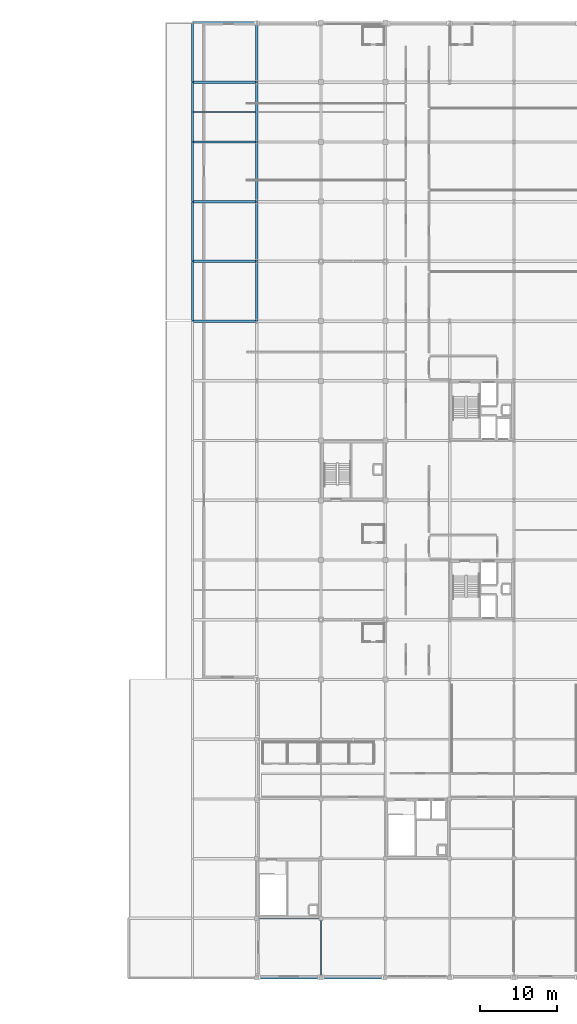
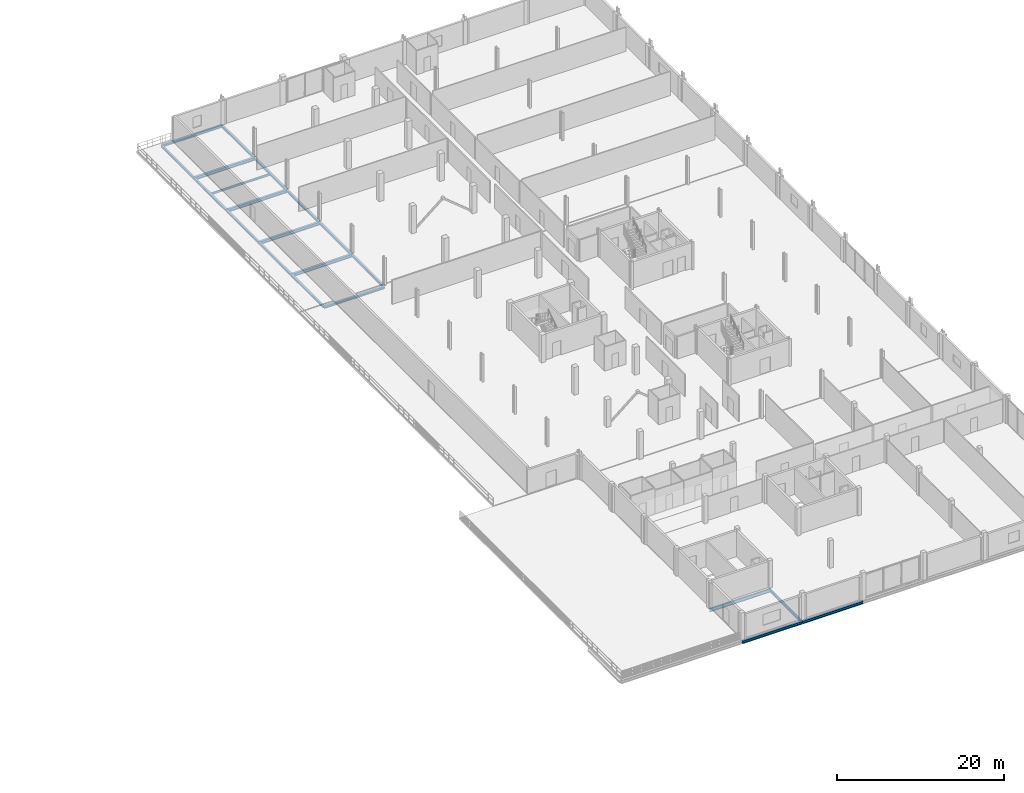
# One storey, part 9 of 41: 21 beams.
"""IFC4 building model written with IfcOpenShell, lengths in metres."""

from ifc_helpers import new_model, si_unit, direction, frame, origin, origin_2d, place, context, subcontext, project, spatial, i_section, extrude, material, material_profile, profile_set, type_object, element, save


model = new_model("IFC4")

# Units and contexts
model_context = context("Model", 3, precision=1e-05, world=origin(), true_north=direction((0.0, 1.0)))
body_context = subcontext(model_context, "Body", "Model", "MODEL_VIEW")
ifc_project = project(units=[si_unit("LENGTHUNIT", "METRE"), si_unit("AREAUNIT", "SQUARE_METRE"), si_unit("VOLUMEUNIT", "CUBIC_METRE"), si_unit("PLANEANGLEUNIT", "RADIAN"), si_unit("MASSUNIT", "GRAM", prefix="KILO")], contexts=[model_context])

# Site, building, storey
site_placement = place(None, origin())
site = spatial("IfcSite", under=ifc_project, at=site_placement, CompositionType="ELEMENT")
building_placement = place(site_placement, origin())
building = spatial("IfcBuilding", under=site, at=building_placement, Name="Nabrawat Pavilion Hospital", CompositionType="ELEMENT")
storey_placement = place(building_placement, frame((0.0, 0.0, 18.89990234375)))
storey = spatial("IfcBuildingStorey", under=building, at=storey_placement, Name="L04", CompositionType="ELEMENT", Elevation=18.89990234375)

# Beams
ifc_material = material(Name="Steel S355", Category="steel")
ifc_material_profile_1 = material_profile(ifc_material, i_section(OverallWidth=0.300048828125, OverallDepth=0.43994140625, WebThickness=0.011474609375, FlangeThickness=0.02099609375, FilletRadius=0.027099609375, at=origin_2d()), Name="HEA 450")
ifc_profile_set_1 = profile_set([ifc_material_profile_1], Name="Steel S355")
beam_type_1 = type_object("IfcBeamType", Name="Mid-Tier Ward Girder HEA 450", PredefinedType="USERDEFINED", material=ifc_profile_set_1)
for number, where, z_axis, x_axis, name in (
    (1, (134.419921875, 93.60009765625, -0.4599609375), (1.0, 0.0, 0.0), (0.0, 1.0, 0.0), "L04 Primary X Girder 1833"),
    (2, (134.419921875, 101.39990234375, -0.4599609375), (1.0, 0.0, 0.0), (0.0, 1.0, 0.0), "L04 Primary X Girder 1838"),
    (3, (134.419921875, 109.199951171875, -0.4599609375), (1.0, 0.0, 0.0), (0.0, 1.0, 0.0), "L04 Primary X Girder 1843"),
    (4, (134.419921875, 117.0, -0.4599609375), (1.0, 0.0, 0.0), (0.0, 1.0, 0.0), "L04 Primary X Girder 1848"),
):
    element("IfcBeam", number, at=place(storey_placement, frame(where, z_axis=z_axis, x_axis=x_axis)), inside=storey, type_object=beam_type_1, Name=name, ObjectType="GIRDER", PredefinedType="USERDEFINED", context=body_context, shape_type="SweptSolid", body=[
        extrude(i_section(OverallWidth=0.300048828125, OverallDepth=0.43994140625, WebThickness=0.011474609375, FlangeThickness=0.02099609375, FilletRadius=0.027099609375, at=origin_2d()), origin(), (0.0, 0.0, 1.0), 8.360107421875),
    ])
ifc_material_profile_2 = material_profile(ifc_material, i_section(OverallWidth=0.300048828125, OverallDepth=0.389892578125, WebThickness=0.010986328125, FlangeThickness=0.01904296875, FilletRadius=0.027099609375, at=origin_2d()), Name="HEA 400")
ifc_profile_set_2 = profile_set([ifc_material_profile_2], Name="Steel S355")
beam_type_2 = type_object("IfcBeamType", Name="Perimeter Moment Spandrel Beam HEA 400", PredefinedType="SPANDREL", material=ifc_profile_set_2)
beam_1_placement = place(storey_placement, frame((142.820068359375, 0.0, -0.4248046875), z_axis=(1.0, 0.0, 0.0), x_axis=(0.0, 1.0, 0.0)))
element("IfcBeam", 5, at=beam_1_placement, inside=storey, type_object=beam_type_2, Name="L04 Primary X Girder 1755", PredefinedType="SPANDREL", context=body_context, shape_type="SweptSolid", body=[
    extrude(i_section(OverallWidth=0.300048828125, OverallDepth=0.389892578125, WebThickness=0.010986328125, FlangeThickness=0.01904296875, FilletRadius=0.027099609375, at=origin_2d()), origin(), (0.0, 0.0, 1.0), 8.35986328125),
])
beam_2_placement = place(storey_placement, frame((151.219970703125, 0.0, -0.4248046875), z_axis=(1.0, 0.0, 0.0), x_axis=(0.0, 1.0, 0.0)))
element("IfcBeam", 6, at=beam_2_placement, inside=storey, type_object=beam_type_2, Name="L04 Primary X Girder 1756", PredefinedType="SPANDREL", context=body_context, shape_type="SweptSolid", body=[
    extrude(i_section(OverallWidth=0.300048828125, OverallDepth=0.389892578125, WebThickness=0.010986328125, FlangeThickness=0.01904296875, FilletRadius=0.027099609375, at=origin_2d()), origin(), (0.0, 0.0, 1.0), 8.360107421875),
])
ifc_material_profile_3 = material_profile(ifc_material, i_section(OverallWidth=0.199951171875, OverallDepth=0.5, WebThickness=0.01025390625, FlangeThickness=0.01611328125, FilletRadius=0.02099609375, at=origin_2d()), Name="IPE 500")
ifc_profile_set_3 = profile_set([ifc_material_profile_3], Name="Steel S355")
beam_type_3 = type_object("IfcBeamType", Name="Standard X Floor Girder IPE 500", PredefinedType="USERDEFINED", material=ifc_profile_set_3)
beam_3_placement = place(storey_placement, frame((142.820068359375, 7.800048828125, -0.47998046875), z_axis=(1.0, 0.0, 0.0), x_axis=(0.0, 1.0, 0.0)))
element("IfcBeam", 7, at=beam_3_placement, inside=storey, type_object=beam_type_3, Name="L04 Primary X Girder 1763", ObjectType="GIRDER", PredefinedType="USERDEFINED", context=body_context, shape_type="SweptSolid", body=[
    extrude(i_section(OverallWidth=0.199951171875, OverallDepth=0.5, WebThickness=0.01025390625, FlangeThickness=0.01611328125, FilletRadius=0.02099609375, at=origin_2d()), origin(), (0.0, 0.0, 1.0), 8.35986328125),
])
ifc_material_profile_4 = material_profile(ifc_material, i_section(OverallWidth=0.179931640625, OverallDepth=0.39990234375, WebThickness=0.008544921875, FlangeThickness=0.013427734375, FilletRadius=0.02099609375, at=origin_2d()), Name="IPE 400")
ifc_profile_set_4 = profile_set([ifc_material_profile_4], Name="Steel S355")
beam_type_4 = type_object("IfcBeamType", Name="Standard Y Floor Beam IPE 400", PredefinedType="BEAM", material=ifc_profile_set_4)
beam_4_placement = place(storey_placement, frame((151.199951171875, 0.02001953125, -0.429931640625), z_axis=(0.0, 1.0, 0.0), x_axis=(-1.0, 0.0, 0.0)))
element("IfcBeam", 8, at=beam_4_placement, inside=storey, type_object=beam_type_4, Name="L04 Primary Y Beam 1895", PredefinedType="BEAM", context=body_context, shape_type="SweptSolid", body=[
    extrude(i_section(OverallWidth=0.179931640625, OverallDepth=0.39990234375, WebThickness=0.008544921875, FlangeThickness=0.013427734375, FilletRadius=0.02099609375, at=origin_2d()), origin(), (0.0, 0.0, 1.0), 7.760009765625),
])
ifc_material_profile_5 = material_profile(ifc_material, i_section(OverallWidth=0.280029296875, OverallDepth=0.280029296875, WebThickness=0.010498046875, FlangeThickness=0.01806640625, FilletRadius=0.02392578125, at=origin_2d()), Name="HEB 280")
ifc_profile_set_5 = profile_set([ifc_material_profile_5], Name="Steel S355")
beam_type_5 = type_object("IfcBeamType", Name="Upper Terrace Edge Spandrel HEB 280", PredefinedType="SPANDREL", material=ifc_profile_set_5)
beam_5_placement = place(storey_placement, frame((134.39990234375, 85.820068359375, -0.3798828125), z_axis=(0.0, 1.0, 0.0), x_axis=(-1.0, 0.0, 0.0)))
element("IfcBeam", 9, at=beam_5_placement, inside=storey, type_object=beam_type_5, Name="L04 Primary Y Beam 1874", PredefinedType="SPANDREL", context=body_context, shape_type="SweptSolid", body=[
    extrude(i_section(OverallWidth=0.280029296875, OverallDepth=0.280029296875, WebThickness=0.010498046875, FlangeThickness=0.01806640625, FilletRadius=0.02392578125, at=origin_2d()), origin(), (0.0, 0.0, 1.0), 7.760009765625),
])
beam_6_placement = place(storey_placement, frame((134.39990234375, 93.6201171875, -0.3798828125), z_axis=(0.0, 1.0, 0.0), x_axis=(-1.0, 0.0, 0.0)))
element("IfcBeam", 10, at=beam_6_placement, inside=storey, type_object=beam_type_5, Name="L04 Primary Y Beam 1875", PredefinedType="SPANDREL", context=body_context, shape_type="SweptSolid", body=[
    extrude(i_section(OverallWidth=0.280029296875, OverallDepth=0.280029296875, WebThickness=0.010498046875, FlangeThickness=0.01806640625, FilletRadius=0.02392578125, at=origin_2d()), origin(), (0.0, 0.0, 1.0), 7.759765625),
])
for number, where, z_axis, x_axis, name in (
    (11, (134.39990234375, 101.419921875, -0.3798828125), (0.0, 1.0, 0.0), (-1.0, 0.0, 0.0), "L04 Primary Y Beam 1876"),
    (12, (134.39990234375, 109.219970703125, -0.3798828125), (0.0, 1.0, 0.0), (-1.0, 0.0, 0.0), "L04 Primary Y Beam 1877"),
    (13, (134.39990234375, 117.02001953125, -0.3798828125), (0.0, 1.0, 0.0), (-1.0, 0.0, 0.0), "L04 Primary Y Beam 1878"),
):
    element("IfcBeam", number, at=place(storey_placement, frame(where, z_axis=z_axis, x_axis=x_axis)), inside=storey, type_object=beam_type_5, Name=name, PredefinedType="SPANDREL", context=body_context, shape_type="SweptSolid", body=[
        extrude(i_section(OverallWidth=0.280029296875, OverallDepth=0.280029296875, WebThickness=0.010498046875, FlangeThickness=0.01806640625, FilletRadius=0.02392578125, at=origin_2d()), origin(), (0.0, 0.0, 1.0), 7.760009765625),
    ])
ifc_material_profile_6 = material_profile(ifc_material, i_section(OverallWidth=0.300048828125, OverallDepth=0.340087890625, WebThickness=0.011962890625, FlangeThickness=0.021484375, FilletRadius=0.027099609375, at=origin_2d()), Name="HEB 340")
ifc_profile_set_6 = profile_set([ifc_material_profile_6], Name="Steel S355")
beam_type_6 = type_object("IfcBeamType", Name="Ward Perimeter Spandrel Beam HEB 340", PredefinedType="SPANDREL", material=ifc_profile_set_6)
for number, where, z_axis, x_axis, name in (
    (14, (134.419921875, 85.800048828125, -0.409912109375), (1.0, 0.0, 0.0), (0.0, 1.0, 0.0), "L04 Primary X Girder 1826"),
    (15, (134.419921875, 124.800048828125, -0.409912109375), (1.0, 0.0, 0.0), (0.0, 1.0, 0.0), "L04 Primary X Girder 1855"),
):
    element("IfcBeam", number, at=place(storey_placement, frame(where, z_axis=z_axis, x_axis=x_axis)), inside=storey, type_object=beam_type_6, Name=name, PredefinedType="SPANDREL", context=body_context, shape_type="SweptSolid", body=[
        extrude(i_section(OverallWidth=0.300048828125, OverallDepth=0.340087890625, WebThickness=0.011962890625, FlangeThickness=0.021484375, FilletRadius=0.027099609375, at=origin_2d()), origin(), (0.0, 0.0, 1.0), 8.360107421875),
    ])
ifc_material_profile_7 = material_profile(ifc_material, i_section(OverallWidth=0.14990234375, OverallDepth=0.300048828125, WebThickness=0.007080078125, FlangeThickness=0.0107421875, FilletRadius=0.014892578125, at=origin_2d()), Name="IPE 300")
ifc_profile_set_7 = profile_set([ifc_material_profile_7], Name="Steel S355")
beam_type_7 = type_object("IfcBeamType", Name="Ward Secondary Floor Joist IPE 300", PredefinedType="JOIST", material=ifc_profile_set_7)
beam_7_placement = place(storey_placement, frame((134.514892578125, 113.10009765625, -0.389892578125), z_axis=(1.0, 0.0, 0.0), x_axis=(0.0, 1.0, 0.0)))
element("IfcBeam", 16, at=beam_7_placement, inside=storey, type_object=beam_type_7, Name="L04 Secondary Composite Floor Joist 1977", PredefinedType="JOIST", context=body_context, shape_type="SweptSolid", body=[
    extrude(i_section(OverallWidth=0.14990234375, OverallDepth=0.300048828125, WebThickness=0.007080078125, FlangeThickness=0.0107421875, FilletRadius=0.014892578125, at=origin_2d()), origin(), (0.0, 0.0, 1.0), 8.16015625),
])
ifc_material_profile_8 = material_profile(ifc_material, i_section(OverallWidth=0.300048828125, OverallDepth=0.31005859375, WebThickness=0.009033203125, FlangeThickness=0.015380859375, FilletRadius=0.027099609375, at=origin_2d()), Name="HEA 320")
ifc_profile_set_8 = profile_set([ifc_material_profile_8], Name="Steel S355")
beam_type_8 = type_object("IfcBeamType", Name="Ward Spine Beam HEA 320", PredefinedType="BEAM", material=ifc_profile_set_8)
beam_8_placement = place(storey_placement, frame((142.800048828125, 85.820068359375, -0.39501953125), z_axis=(0.0, 1.0, 0.0), x_axis=(-1.0, 0.0, 0.0)))
element("IfcBeam", 17, at=beam_8_placement, inside=storey, type_object=beam_type_8, Name="L04 Primary Y Beam 1890", PredefinedType="BEAM", context=body_context, shape_type="SweptSolid", body=[
    extrude(i_section(OverallWidth=0.300048828125, OverallDepth=0.31005859375, WebThickness=0.009033203125, FlangeThickness=0.015380859375, FilletRadius=0.027099609375, at=origin_2d()), origin(), (0.0, 0.0, 1.0), 7.760009765625),
])
beam_9_placement = place(storey_placement, frame((142.800048828125, 93.6201171875, -0.39501953125), z_axis=(0.0, 1.0, 0.0), x_axis=(-1.0, 0.0, 0.0)))
element("IfcBeam", 18, at=beam_9_placement, inside=storey, type_object=beam_type_8, Name="L04 Primary Y Beam 1891", PredefinedType="BEAM", context=body_context, shape_type="SweptSolid", body=[
    extrude(i_section(OverallWidth=0.300048828125, OverallDepth=0.31005859375, WebThickness=0.009033203125, FlangeThickness=0.015380859375, FilletRadius=0.027099609375, at=origin_2d()), origin(), (0.0, 0.0, 1.0), 7.759765625),
])
for number, where, z_axis, x_axis, name in (
    (19, (142.800048828125, 101.419921875, -0.39501953125), (0.0, 1.0, 0.0), (-1.0, 0.0, 0.0), "L04 Primary Y Beam 1892"),
    (20, (142.800048828125, 109.219970703125, -0.39501953125), (0.0, 1.0, 0.0), (-1.0, 0.0, 0.0), "L04 Primary Y Beam 1893"),
    (21, (142.800048828125, 117.02001953125, -0.39501953125), (0.0, 1.0, 0.0), (-1.0, 0.0, 0.0), "L04 Primary Y Beam 1894"),
):
    element("IfcBeam", number, at=place(storey_placement, frame(where, z_axis=z_axis, x_axis=x_axis)), inside=storey, type_object=beam_type_8, Name=name, PredefinedType="BEAM", context=body_context, shape_type="SweptSolid", body=[
        extrude(i_section(OverallWidth=0.300048828125, OverallDepth=0.31005859375, WebThickness=0.009033203125, FlangeThickness=0.015380859375, FilletRadius=0.027099609375, at=origin_2d()), origin(), (0.0, 0.0, 1.0), 7.760009765625),
    ])

save(model, "model.ifc")
